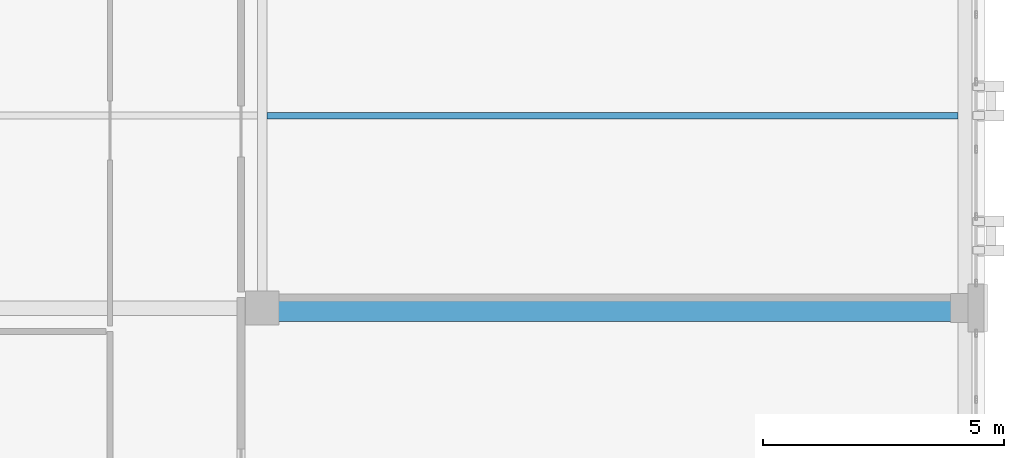
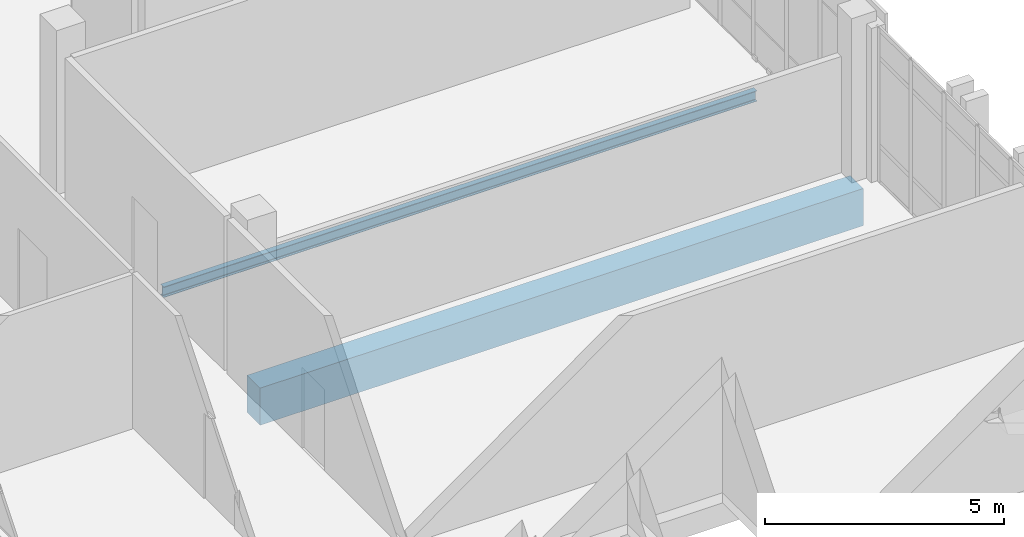
# One storey, part 10 of 22: 2 beams.
"""IFC4 building model written with IfcOpenShell, lengths in metres."""

from ifc_helpers import new_model, si_unit, direction, frame, origin, origin_2d, place, context, subcontext, project, spatial, rectangle, i_section, extrude, material, material_profile, profile_set, type_object, element, save


model = new_model("IFC4")

# Units and contexts
model_context = context("Model", 3, precision=1e-05, world=origin(), true_north=direction((0.0, 1.0)))
body_context = subcontext(model_context, "Body", "Model", "MODEL_VIEW")
ifc_project = project(units=[si_unit("LENGTHUNIT", "METRE"), si_unit("AREAUNIT", "SQUARE_METRE"), si_unit("VOLUMEUNIT", "CUBIC_METRE"), si_unit("PLANEANGLEUNIT", "RADIAN"), si_unit("MASSUNIT", "GRAM", prefix="KILO")], contexts=[model_context])

# Site, building, storey
site_placement = place(None, origin())
site = spatial("IfcSite", under=ifc_project, at=site_placement, CompositionType="ELEMENT")
building_placement = place(site_placement, origin())
building = spatial("IfcBuilding", under=site, at=building_placement, Name="Qalavern Law Courts", CompositionType="ELEMENT")
storey_placement = place(building_placement, frame((0.0, 0.0, 35.39990234375)))
storey = spatial("IfcBuildingStorey", under=building, at=storey_placement, Name="L08", CompositionType="ELEMENT", Elevation=35.39990234375)

# Beams
ifc_material_1 = material(Name="Concrete C40/50", Category="concrete")
ifc_material_profile_1 = material_profile(ifc_material_1, rectangle(XDim=0.550048828125, YDim=0.949951171875, at=origin_2d()), Name="RC 550x950")
ifc_profile_set_1 = profile_set([ifc_material_profile_1], Name="Concrete C40/50")
beam_type_1 = type_object("IfcBeamType", Name="STR-BM-RC550x950", PredefinedType="BEAM", material=ifc_profile_set_1)
beam_1_placement = place(storey_placement, frame((91.800048828125, 57.39990234375, -0.73486328125), z_axis=(1.0, 0.0, 0.0), x_axis=(0.0, 1.0, 0.0)))
element("IfcBeam", 1, at=beam_1_placement, inside=storey, type_object=beam_type_1, Name="V4 X-beam 3-2 L08", PredefinedType="BEAM", context=body_context, shape_type="SweptSolid", body=[
    extrude(rectangle(XDim=0.550048828125, YDim=0.949951171875, at=origin_2d()), origin(), (0.0, 0.0, 1.0), 14.599853515625),
])
ifc_material_2 = material(Name="Steel S355", Category="steel")
ifc_material_profile_2 = material_profile(ifc_material_2, i_section(OverallWidth=0.135009765625, OverallDepth=0.27001953125, WebThickness=0.006591796875, FlangeThickness=0.01025390625, FilletRadius=0.014892578125, at=origin_2d()), Name="IPE 270")
ifc_profile_set_2 = profile_set([ifc_material_profile_2], Name="Steel S355")
beam_type_2 = type_object("IfcBeamType", Name="STR-JST-IPE270", PredefinedType="JOIST", material=ifc_profile_set_2)
beam_2_placement = place(storey_placement, frame((91.89794921875, 61.39990234375, -0.39501953125), z_axis=(1.0, 0.0, 0.0), x_axis=(0.0, 1.0, 0.0)))
element("IfcBeam", 2, at=beam_2_placement, inside=storey, type_object=beam_type_2, Name="V4 secondary joist 2.3.1 L08", PredefinedType="JOIST", context=body_context, shape_type="SweptSolid", body=[
    extrude(i_section(OverallWidth=0.135009765625, OverallDepth=0.27001953125, WebThickness=0.006591796875, FlangeThickness=0.01025390625, FilletRadius=0.014892578125, at=origin_2d()), origin(), (0.0, 0.0, 1.0), 14.35400390625),
])

save(model, "model.ifc")
